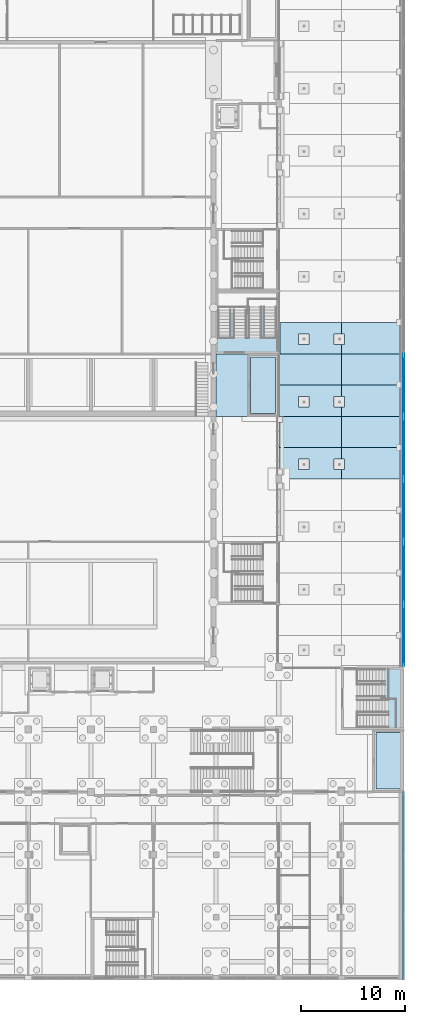
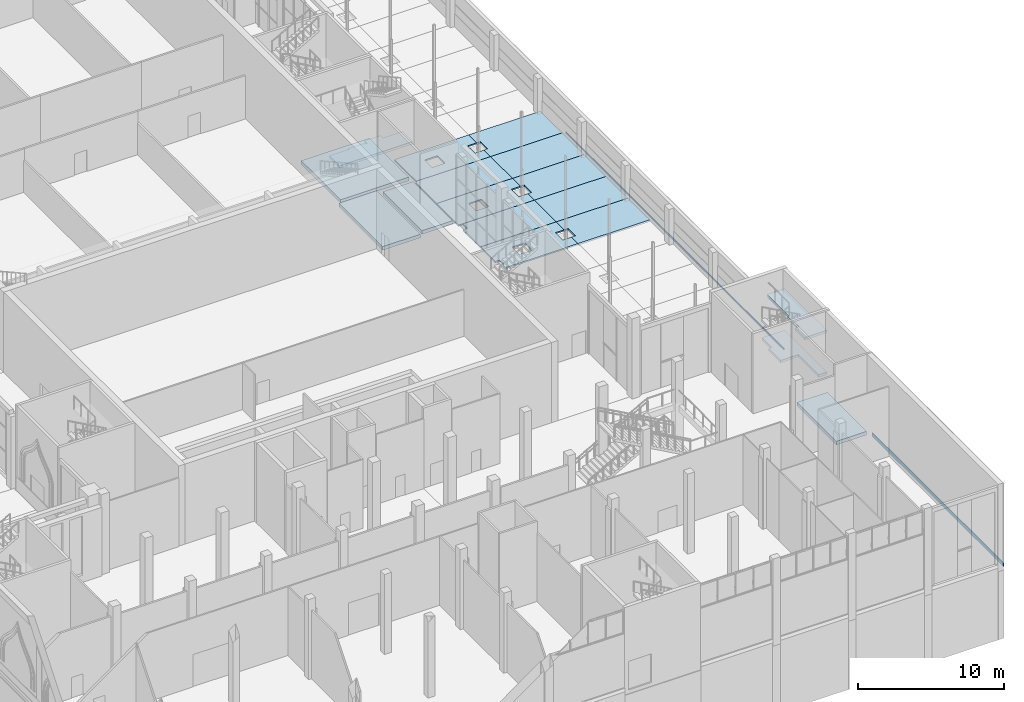
# One storey, part 32 of 95: 28 slabs, 2 elements without a shape of their own.
"""IFC4 building model written with IfcOpenShell, lengths in metres."""

from ifc_helpers import new_model, si_unit, direction, frame, origin, place, context, subcontext, project, spatial, polyline, outline, extrude, material, layer, layer_set, type_object, element, aggregate, save


model = new_model("IFC4")

# Units and contexts
model_context = context("Model", 3, precision=1e-05, world=origin(), true_north=direction((0.0, 1.0)))
body_context = subcontext(model_context, "Body", "Model", "MODEL_VIEW")
ifc_project = project(units=[si_unit("LENGTHUNIT", "METRE"), si_unit("AREAUNIT", "SQUARE_METRE"), si_unit("VOLUMEUNIT", "CUBIC_METRE"), si_unit("PLANEANGLEUNIT", "RADIAN"), si_unit("MASSUNIT", "GRAM", prefix="KILO")], contexts=[model_context])

# Site, building, storey
site_placement = place(None, origin())
site = spatial("IfcSite", under=ifc_project, at=site_placement, CompositionType="ELEMENT")
building_placement = place(site_placement, origin())
building = spatial("IfcBuilding", under=site, at=building_placement, Name="Saffron Lane Theatres", CompositionType="ELEMENT")
storey_placement = place(building_placement, origin())
storey = spatial("IfcBuildingStorey", under=building, at=storey_placement, Name="L00", CompositionType="ELEMENT", Elevation=0.0)

# Slabs
ifc_material_1 = material(Name="Masonry bluestone paving", Category="masonry")
ifc_layer_1 = layer(ifc_material_1, 0.1201171875)
ifc_layer_set_1 = layer_set([ifc_layer_1], Name="Masonry bluestone paving")
slab_type_1 = type_object("IfcSlabType", Name="EX-PAVING BLUESTONE 120", PredefinedType="USERDEFINED", material=ifc_layer_set_1)
slab_1_placement = place(storey_placement, frame((0.0, 0.0, -0.1201171875)))
element("IfcSlab", 1, at=slab_1_placement, inside=storey, type_object=slab_type_1, Name="Saffron Lane passage paving 8", ObjectType="PAVING", PredefinedType="USERDEFINED", context=body_context, shape_type="SweptSolid", body=[
    extrude(outline(polyline([(60.0, 51.0), (60.0, 54.0), (54.35400390625, 54.0), (54.35400390625, 53.39990234375), (54.35400390625, 53.399658203125), (54.35400390625, 53.399169921875), (54.353759765625, 53.39892578125), (54.353759765625, 53.3984375), (54.353515625, 53.398193359375), (54.353271484375, 53.397705078125), (54.35302734375, 53.3974609375), (54.352783203125, 53.397216796875), (54.3525390625, 53.39697265625), (54.352294921875, 53.396728515625), (54.351806640625, 53.396484375), (54.3515625, 53.396240234375), (54.35107421875, 53.396240234375), (54.350830078125, 53.39599609375), (54.350341796875, 53.39599609375), (54.35009765625, 53.39599609375), (54.00390625, 53.39599609375), (54.00390625, 51.0), (60.0, 51.0)])), origin(), (0.0, 0.0, 1.0), 0.1201171875),
])
slab_2_placement = place(storey_placement, frame((0.0, 0.0, -0.1201171875)))
element("IfcSlab", 2, at=slab_2_placement, inside=storey, type_object=slab_type_1, Name="Saffron Lane passage paving 10", ObjectType="PAVING", PredefinedType="USERDEFINED", context=body_context, shape_type="SweptSolid", body=[
    extrude(outline(polyline([(60.0, 57.0), (60.0, 60.0), (54.1201171875, 60.0), (54.119384765625, 59.98828125), (54.11767578125, 59.9765625), (54.11474609375, 59.965087890625), (54.11083984375, 59.9541015625), (54.105712890625, 59.943359375), (54.099853515625, 59.933349609375), (54.0927734375, 59.923828125), (54.0849609375, 59.9150390625), (54.076171875, 59.9072265625), (54.066650390625, 59.900146484375), (54.056640625, 59.894287109375), (54.0458984375, 59.88916015625), (54.034912109375, 59.88525390625), (54.0234375, 59.88232421875), (54.01171875, 59.880615234375), (54.00390625, 59.880126953125), (54.00390625, 59.85009765625), (54.00390625, 59.85009765625), (54.00390625, 57.0), (60.0, 57.0)])), origin(), (0.0, 0.0, 1.0), 0.1201171875),
])
ifc_material_2 = material(Name="Masonry bluestone paving", Category="masonry")
ifc_layer_2 = layer(ifc_material_2, 0.14990234375)
ifc_layer_set_2 = layer_set([ifc_layer_2], Name="Masonry bluestone paving")
slab_type_2 = type_object("IfcSlabType", Name="EX-PAVING BLUESTONE 150", PredefinedType="USERDEFINED", material=ifc_layer_set_2)
slab_3_placement = place(storey_placement, frame((0.0, 0.0, -0.14990234375)))
element("IfcSlab", 3, at=slab_3_placement, inside=storey, type_object=slab_type_2, Name="East court paving 4", ObjectType="PAVING", PredefinedType="USERDEFINED", context=body_context, shape_type="SweptSolid", body=[
    extrude(outline(polyline([(66.0, 33.0), (66.0, 36.0), (65.944091796875, 36.0), (65.944091796875, 33.0), (66.0, 33.0)])), origin(), (0.0, 0.0, 1.0), 0.14990234375),
])
slab_4_placement = place(storey_placement, frame((0.0, 0.0, -0.14990234375)))
element("IfcSlab", 4, at=slab_4_placement, inside=storey, type_object=slab_type_2, Name="East court paving 8", ObjectType="PAVING", PredefinedType="USERDEFINED", context=body_context, shape_type="SweptSolid", body=[
    extrude(outline(polyline([(66.0, 39.0), (66.0, 42.0), (65.944091796875, 42.0), (65.944091796875, 39.0), (66.0, 39.0)])), origin(), (0.0, 0.0, 1.0), 0.14990234375),
])
slab_5_placement = place(storey_placement, frame((0.0, 0.0, -0.14990234375)))
element("IfcSlab", 5, at=slab_5_placement, inside=storey, type_object=slab_type_2, Name="East court paving 12", ObjectType="PAVING", PredefinedType="USERDEFINED", context=body_context, shape_type="SweptSolid", body=[
    extrude(outline(polyline([(66.0, 45.0), (66.0, 48.0), (65.944091796875, 48.0), (65.944091796875, 45.0), (66.0, 45.0)])), origin(), (0.0, 0.0, 1.0), 0.14990234375),
])
slab_6_placement = place(storey_placement, frame((0.0, 0.0, -0.14990234375)))
element("IfcSlab", 6, at=slab_6_placement, inside=storey, type_object=slab_type_2, Name="East court paving 15", ObjectType="PAVING", PredefinedType="USERDEFINED", context=body_context, shape_type="SweptSolid", body=[
    extrude(outline(polyline([(60.0, 54.0), (60.0, 51.0), (65.68603515625, 51.0), (65.68603515625, 54.0), (60.0, 54.0)])), origin(), (0.0, 0.0, 1.0), 0.14990234375),
])
slab_7_placement = place(storey_placement, frame((0.0, 0.0, -0.14990234375)))
element("IfcSlab", 7, at=slab_7_placement, inside=storey, type_object=slab_type_2, Name="East court paving 16", ObjectType="PAVING", PredefinedType="USERDEFINED", context=body_context, shape_type="SweptSolid", body=[
    extrude(outline(polyline([(66.0, 51.0), (66.0, 54.0), (65.944091796875, 54.0), (65.944091796875, 51.0), (66.0, 51.0)])), origin(), (0.0, 0.0, 1.0), 0.14990234375),
])
slab_8_placement = place(storey_placement, frame((0.0, 0.0, -0.14990234375)))
element("IfcSlab", 8, at=slab_8_placement, inside=storey, type_object=slab_type_2, Name="East court paving 19", ObjectType="PAVING", PredefinedType="USERDEFINED", context=body_context, shape_type="SweptSolid", body=[
    extrude(outline(polyline([(60.0, 60.0), (60.0, 57.0), (65.68603515625, 57.0), (65.68603515625, 60.0), (60.0, 60.0)])), origin(), (0.0, 0.0, 1.0), 0.14990234375),
])
slab_9_placement = place(storey_placement, frame((0.0, 0.0, -0.14990234375)))
element("IfcSlab", 9, at=slab_9_placement, inside=storey, type_object=slab_type_2, Name="East court paving 20", ObjectType="PAVING", PredefinedType="USERDEFINED", context=body_context, shape_type="SweptSolid", body=[
    extrude(outline(polyline([(66.0, 57.0), (66.0, 60.0), (65.944091796875, 60.0), (65.944091796875, 57.0), (66.0, 57.0)])), origin(), (0.0, 0.0, 1.0), 0.14990234375),
])
ifc_material_3 = material(Name="Masonry sandstone paving", Category="masonry")
ifc_layer_3 = layer(ifc_material_3, 0.1201171875)
ifc_layer_set_3 = layer_set([ifc_layer_3], Name="Masonry sandstone paving")
slab_type_3 = type_object("IfcSlabType", Name="EX-PAVING SANDSTONE 120", PredefinedType="USERDEFINED", material=ifc_layer_set_3)
slab_10_placement = place(storey_placement, frame((0.0, 0.0, -0.1201171875)))
element("IfcSlab", 10, at=slab_10_placement, inside=storey, type_object=slab_type_3, Name="Saffron Lane passage paving 7", ObjectType="PAVING", PredefinedType="USERDEFINED", context=body_context, shape_type="SweptSolid", body=[
    extrude(outline(polyline([(60.0, 49.904052734375), (60.0, 51.0), (54.00390625, 51.0), (54.00390625, 48.97900390625), (54.35009765625, 48.97900390625), (54.350341796875, 48.97900390625), (54.350830078125, 48.97900390625), (54.35107421875, 48.978759765625), (54.3515625, 48.978759765625), (54.351806640625, 48.978515625), (54.352294921875, 48.978271484375), (54.3525390625, 48.97802734375), (54.352783203125, 48.977783203125), (54.35302734375, 48.9775390625), (54.353271484375, 48.977294921875), (54.353515625, 48.976806640625), (54.353759765625, 48.9765625), (54.353759765625, 48.97607421875), (54.35400390625, 48.975830078125), (54.35400390625, 48.975341796875), (54.35400390625, 48.97509765625), (54.35400390625, 48.375), (54.35400390625, 48.37451171875), (54.35400390625, 48.374267578125), (54.353759765625, 48.373779296875), (54.353759765625, 48.37353515625), (54.353515625, 48.373046875), (54.353271484375, 48.372802734375), (54.35302734375, 48.37255859375), (54.352783203125, 48.3720703125), (54.3525390625, 48.371826171875), (54.352294921875, 48.37158203125), (54.351806640625, 48.37158203125), (54.3515625, 48.371337890625), (54.35107421875, 48.37109375), (54.350830078125, 48.37109375), (54.350341796875, 48.37109375), (54.35009765625, 48.37109375), (54.279052734375, 48.37109375), (54.279052734375, 48.0), (60.0, 48.0), (60.0, 48.89599609375), (59.300048828125, 48.89599609375), (59.299560546875, 48.89599609375), (59.29931640625, 48.89599609375), (59.298828125, 48.896240234375), (59.298583984375, 48.896240234375), (59.298095703125, 48.896484375), (59.2978515625, 48.896728515625), (59.29736328125, 48.89697265625), (59.297119140625, 48.897216796875), (59.296875, 48.8974609375), (59.296630859375, 48.897705078125), (59.29638671875, 48.898193359375), (59.29638671875, 48.8984375), (59.296142578125, 48.89892578125), (59.296142578125, 48.899169921875), (59.2958984375, 48.899658203125), (59.2958984375, 48.89990234375), (59.2958984375, 49.89990234375), (59.2958984375, 49.900390625), (59.296142578125, 49.90087890625), (59.296142578125, 49.901123046875), (59.29638671875, 49.901611328125), (59.29638671875, 49.90185546875), (59.296630859375, 49.90234375), (59.296875, 49.902587890625), (59.297119140625, 49.90283203125), (59.29736328125, 49.903076171875), (59.2978515625, 49.9033203125), (59.298095703125, 49.903564453125), (59.298583984375, 49.90380859375), (59.298828125, 49.90380859375), (59.29931640625, 49.90380859375), (59.299560546875, 49.904052734375), (59.300048828125, 49.904052734375), (60.0, 49.904052734375)]), holes=[polyline([(55.89599609375, 49.90087890625), (55.896240234375, 49.901123046875), (55.896240234375, 49.901611328125), (55.896484375, 49.90185546875), (55.896728515625, 49.90234375), (55.89697265625, 49.902587890625), (55.897216796875, 49.90283203125), (55.8974609375, 49.903076171875), (55.897705078125, 49.9033203125), (55.898193359375, 49.903564453125), (55.8984375, 49.90380859375), (55.89892578125, 49.90380859375), (55.899169921875, 49.90380859375), (55.899658203125, 49.904052734375), (55.89990234375, 49.904052734375), (56.89990234375, 49.904052734375), (56.900390625, 49.904052734375), (56.90087890625, 49.90380859375), (56.901123046875, 49.90380859375), (56.901611328125, 49.90380859375), (56.90185546875, 49.903564453125), (56.90234375, 49.9033203125), (56.902587890625, 49.903076171875), (56.90283203125, 49.90283203125), (56.903076171875, 49.902587890625), (56.9033203125, 49.90234375), (56.903564453125, 49.90185546875), (56.90380859375, 49.901611328125), (56.90380859375, 49.901123046875), (56.90380859375, 49.90087890625), (56.904052734375, 49.900390625), (56.904052734375, 49.89990234375), (56.904052734375, 48.89990234375), (56.904052734375, 48.899658203125), (56.90380859375, 48.899169921875), (56.90380859375, 48.89892578125), (56.90380859375, 48.8984375), (56.903564453125, 48.898193359375), (56.9033203125, 48.897705078125), (56.903076171875, 48.8974609375), (56.90283203125, 48.897216796875), (56.902587890625, 48.89697265625), (56.90234375, 48.896728515625), (56.90185546875, 48.896484375), (56.901611328125, 48.896240234375), (56.901123046875, 48.896240234375), (56.90087890625, 48.89599609375), (56.900390625, 48.89599609375), (56.89990234375, 48.89599609375), (55.89990234375, 48.89599609375), (55.899658203125, 48.89599609375), (55.899169921875, 48.89599609375), (55.89892578125, 48.896240234375), (55.8984375, 48.896240234375), (55.898193359375, 48.896484375), (55.897705078125, 48.896728515625), (55.8974609375, 48.89697265625), (55.897216796875, 48.897216796875), (55.89697265625, 48.8974609375), (55.896728515625, 48.897705078125), (55.896484375, 48.898193359375), (55.896240234375, 48.8984375), (55.896240234375, 48.89892578125), (55.89599609375, 48.899169921875), (55.89599609375, 48.899658203125), (55.89599609375, 48.89990234375), (55.89599609375, 49.89990234375), (55.89599609375, 49.900390625), (55.89599609375, 49.90087890625)])]), origin(), (0.0, 0.0, 1.0), 0.1201171875),
])
slab_11_placement = place(storey_placement, frame((0.0, 0.0, -0.1201171875)))
element("IfcSlab", 11, at=slab_11_placement, inside=storey, type_object=slab_type_3, Name="Saffron Lane passage paving 9", ObjectType="PAVING", PredefinedType="USERDEFINED", context=body_context, shape_type="SweptSolid", body=[
    extrude(outline(polyline([(60.0, 55.904052734375), (60.0, 57.0), (54.00390625, 57.0), (54.00390625, 54.14990234375), (54.00390625, 54.14990234375), (54.00390625, 54.00390625), (54.35009765625, 54.00390625), (54.350341796875, 54.00390625), (54.350830078125, 54.00390625), (54.35107421875, 54.00390625), (54.3515625, 54.003662109375), (54.351806640625, 54.00341796875), (54.352294921875, 54.00341796875), (54.3525390625, 54.003173828125), (54.352783203125, 54.0029296875), (54.35302734375, 54.00244140625), (54.353271484375, 54.002197265625), (54.353515625, 54.001953125), (54.353759765625, 54.00146484375), (54.353759765625, 54.001220703125), (54.35400390625, 54.000732421875), (54.35400390625, 54.00048828125), (54.35400390625, 54.0), (60.0, 54.0), (60.0, 54.89599609375), (59.300048828125, 54.89599609375), (59.299560546875, 54.89599609375), (59.29931640625, 54.89599609375), (59.298828125, 54.896240234375), (59.298583984375, 54.896240234375), (59.298095703125, 54.896484375), (59.2978515625, 54.896728515625), (59.29736328125, 54.89697265625), (59.297119140625, 54.897216796875), (59.296875, 54.8974609375), (59.296630859375, 54.897705078125), (59.29638671875, 54.898193359375), (59.29638671875, 54.8984375), (59.296142578125, 54.89892578125), (59.296142578125, 54.899169921875), (59.2958984375, 54.899658203125), (59.2958984375, 54.89990234375), (59.2958984375, 55.89990234375), (59.2958984375, 55.900390625), (59.296142578125, 55.90087890625), (59.296142578125, 55.901123046875), (59.29638671875, 55.901611328125), (59.29638671875, 55.90185546875), (59.296630859375, 55.90234375), (59.296875, 55.902587890625), (59.297119140625, 55.90283203125), (59.29736328125, 55.903076171875), (59.2978515625, 55.9033203125), (59.298095703125, 55.903564453125), (59.298583984375, 55.90380859375), (59.298828125, 55.90380859375), (59.29931640625, 55.90380859375), (59.299560546875, 55.904052734375), (59.300048828125, 55.904052734375), (60.0, 55.904052734375)]), holes=[polyline([(55.89599609375, 55.90087890625), (55.896240234375, 55.901123046875), (55.896240234375, 55.901611328125), (55.896484375, 55.90185546875), (55.896728515625, 55.90234375), (55.89697265625, 55.902587890625), (55.897216796875, 55.90283203125), (55.8974609375, 55.903076171875), (55.897705078125, 55.9033203125), (55.898193359375, 55.903564453125), (55.8984375, 55.90380859375), (55.89892578125, 55.90380859375), (55.899169921875, 55.90380859375), (55.899658203125, 55.904052734375), (55.89990234375, 55.904052734375), (56.89990234375, 55.904052734375), (56.900390625, 55.904052734375), (56.90087890625, 55.90380859375), (56.901123046875, 55.90380859375), (56.901611328125, 55.90380859375), (56.90185546875, 55.903564453125), (56.90234375, 55.9033203125), (56.902587890625, 55.903076171875), (56.90283203125, 55.90283203125), (56.903076171875, 55.902587890625), (56.9033203125, 55.90234375), (56.903564453125, 55.90185546875), (56.90380859375, 55.901611328125), (56.90380859375, 55.901123046875), (56.90380859375, 55.90087890625), (56.904052734375, 55.900390625), (56.904052734375, 55.89990234375), (56.904052734375, 54.89990234375), (56.904052734375, 54.899658203125), (56.90380859375, 54.899169921875), (56.90380859375, 54.89892578125), (56.90380859375, 54.8984375), (56.903564453125, 54.898193359375), (56.9033203125, 54.897705078125), (56.903076171875, 54.8974609375), (56.90283203125, 54.897216796875), (56.902587890625, 54.89697265625), (56.90234375, 54.896728515625), (56.90185546875, 54.896484375), (56.901611328125, 54.896240234375), (56.901123046875, 54.896240234375), (56.90087890625, 54.89599609375), (56.900390625, 54.89599609375), (56.89990234375, 54.89599609375), (55.89990234375, 54.89599609375), (55.899658203125, 54.89599609375), (55.899169921875, 54.89599609375), (55.89892578125, 54.896240234375), (55.8984375, 54.896240234375), (55.898193359375, 54.896484375), (55.897705078125, 54.896728515625), (55.8974609375, 54.89697265625), (55.897216796875, 54.897216796875), (55.89697265625, 54.8974609375), (55.896728515625, 54.897705078125), (55.896484375, 54.898193359375), (55.896240234375, 54.8984375), (55.896240234375, 54.89892578125), (55.89599609375, 54.899169921875), (55.89599609375, 54.899658203125), (55.89599609375, 54.89990234375), (55.89599609375, 55.89990234375), (55.89599609375, 55.900390625), (55.89599609375, 55.90087890625)])]), origin(), (0.0, 0.0, 1.0), 0.1201171875),
])
slab_12_placement = place(storey_placement, frame((0.0, 0.0, -0.1201171875)))
element("IfcSlab", 12, at=slab_12_placement, inside=storey, type_object=slab_type_3, Name="Saffron Lane passage paving 11", ObjectType="PAVING", PredefinedType="USERDEFINED", context=body_context, shape_type="SweptSolid", body=[
    extrude(outline(polyline([(60.0, 61.904052734375), (60.0, 63.0), (54.1201171875, 63.0), (54.1201171875, 60.0), (60.0, 60.0), (60.0, 60.89599609375), (59.300048828125, 60.89599609375), (59.299560546875, 60.89599609375), (59.29931640625, 60.89599609375), (59.298828125, 60.896240234375), (59.298583984375, 60.896240234375), (59.298095703125, 60.896484375), (59.2978515625, 60.896728515625), (59.29736328125, 60.89697265625), (59.297119140625, 60.897216796875), (59.296875, 60.8974609375), (59.296630859375, 60.897705078125), (59.29638671875, 60.898193359375), (59.29638671875, 60.8984375), (59.296142578125, 60.89892578125), (59.296142578125, 60.899169921875), (59.2958984375, 60.899658203125), (59.2958984375, 60.89990234375), (59.2958984375, 61.89990234375), (59.2958984375, 61.900390625), (59.296142578125, 61.90087890625), (59.296142578125, 61.901123046875), (59.29638671875, 61.901611328125), (59.29638671875, 61.90185546875), (59.296630859375, 61.90234375), (59.296875, 61.902587890625), (59.297119140625, 61.90283203125), (59.29736328125, 61.903076171875), (59.2978515625, 61.9033203125), (59.298095703125, 61.903564453125), (59.298583984375, 61.90380859375), (59.298828125, 61.90380859375), (59.29931640625, 61.90380859375), (59.299560546875, 61.904052734375), (59.300048828125, 61.904052734375), (60.0, 61.904052734375)]), holes=[polyline([(55.89599609375, 61.900390625), (55.89599609375, 61.90087890625), (55.896240234375, 61.901123046875), (55.896240234375, 61.901611328125), (55.896484375, 61.90185546875), (55.896728515625, 61.90234375), (55.89697265625, 61.902587890625), (55.897216796875, 61.90283203125), (55.8974609375, 61.903076171875), (55.897705078125, 61.9033203125), (55.898193359375, 61.903564453125), (55.8984375, 61.90380859375), (55.89892578125, 61.90380859375), (55.899169921875, 61.90380859375), (55.899658203125, 61.904052734375), (55.89990234375, 61.904052734375), (56.89990234375, 61.904052734375), (56.900390625, 61.904052734375), (56.90087890625, 61.90380859375), (56.901123046875, 61.90380859375), (56.901611328125, 61.90380859375), (56.90185546875, 61.903564453125), (56.90234375, 61.9033203125), (56.902587890625, 61.903076171875), (56.90283203125, 61.90283203125), (56.903076171875, 61.902587890625), (56.9033203125, 61.90234375), (56.903564453125, 61.90185546875), (56.90380859375, 61.901611328125), (56.90380859375, 61.901123046875), (56.90380859375, 61.90087890625), (56.904052734375, 61.900390625), (56.904052734375, 61.89990234375), (56.904052734375, 60.89990234375), (56.904052734375, 60.899658203125), (56.90380859375, 60.899169921875), (56.90380859375, 60.89892578125), (56.90380859375, 60.8984375), (56.903564453125, 60.898193359375), (56.9033203125, 60.897705078125), (56.903076171875, 60.8974609375), (56.90283203125, 60.897216796875), (56.902587890625, 60.89697265625), (56.90234375, 60.896728515625), (56.90185546875, 60.896484375), (56.901611328125, 60.896240234375), (56.901123046875, 60.896240234375), (56.90087890625, 60.89599609375), (56.900390625, 60.89599609375), (56.89990234375, 60.89599609375), (55.89990234375, 60.89599609375), (55.899658203125, 60.89599609375), (55.899169921875, 60.89599609375), (55.89892578125, 60.896240234375), (55.8984375, 60.896240234375), (55.898193359375, 60.896484375), (55.897705078125, 60.896728515625), (55.8974609375, 60.89697265625), (55.897216796875, 60.897216796875), (55.89697265625, 60.8974609375), (55.896728515625, 60.897705078125), (55.896484375, 60.898193359375), (55.896240234375, 60.8984375), (55.896240234375, 60.89892578125), (55.89599609375, 60.899169921875), (55.89599609375, 60.899658203125), (55.89599609375, 60.89990234375), (55.89599609375, 61.89990234375), (55.89599609375, 61.900390625)])]), origin(), (0.0, 0.0, 1.0), 0.1201171875),
])
ifc_material_4 = material(Name="Masonry sandstone paving", Category="masonry")
ifc_layer_4 = layer(ifc_material_4, 0.14990234375)
ifc_layer_set_4 = layer_set([ifc_layer_4], Name="Masonry sandstone paving")
slab_type_4 = type_object("IfcSlabType", Name="EX-PAVING SANDSTONE 150", PredefinedType="USERDEFINED", material=ifc_layer_set_4)
slab_13_placement = place(storey_placement, frame((0.0, 0.0, -0.14990234375)))
element("IfcSlab", 13, at=slab_13_placement, inside=storey, type_object=slab_type_4, Name="East court paving 2", ObjectType="PAVING", PredefinedType="USERDEFINED", context=body_context, shape_type="SweptSolid", body=[
    extrude(outline(polyline([(66.0, 30.1201171875), (66.0, 33.0), (65.944091796875, 33.0), (65.944091796875, 30.1201171875), (66.0, 30.1201171875)])), origin(), (0.0, 0.0, 1.0), 0.14990234375),
])
slab_14_placement = place(storey_placement, frame((0.0, 0.0, -0.14990234375)))
element("IfcSlab", 14, at=slab_14_placement, inside=storey, type_object=slab_type_4, Name="East court paving 6", ObjectType="PAVING", PredefinedType="USERDEFINED", context=body_context, shape_type="SweptSolid", body=[
    extrude(outline(polyline([(66.0, 36.0), (66.0, 39.0), (65.944091796875, 39.0), (65.944091796875, 36.0), (66.0, 36.0)])), origin(), (0.0, 0.0, 1.0), 0.14990234375),
])
slab_15_placement = place(storey_placement, frame((0.0, 0.0, -0.14990234375)))
element("IfcSlab", 15, at=slab_15_placement, inside=storey, type_object=slab_type_4, Name="East court paving 10", ObjectType="PAVING", PredefinedType="USERDEFINED", context=body_context, shape_type="SweptSolid", body=[
    extrude(outline(polyline([(66.0, 42.0), (66.0, 45.0), (65.944091796875, 45.0), (65.944091796875, 42.0), (66.0, 42.0)])), origin(), (0.0, 0.0, 1.0), 0.14990234375),
])
slab_16_placement = place(storey_placement, frame((0.0, 0.0, -0.14990234375)))
element("IfcSlab", 16, at=slab_16_placement, inside=storey, type_object=slab_type_4, Name="East court paving 13", ObjectType="PAVING", PredefinedType="USERDEFINED", context=body_context, shape_type="SweptSolid", body=[
    extrude(outline(polyline([(60.0, 48.89599609375), (60.0, 48.0), (65.68603515625, 48.0), (65.68603515625, 51.0), (60.0, 51.0), (60.0, 49.904052734375), (60.300048828125, 49.904052734375), (60.30029296875, 49.904052734375), (60.30078125, 49.90380859375), (60.30126953125, 49.90380859375), (60.301513671875, 49.90380859375), (60.302001953125, 49.903564453125), (60.30224609375, 49.9033203125), (60.302490234375, 49.903076171875), (60.302734375, 49.90283203125), (60.302978515625, 49.902587890625), (60.30322265625, 49.90234375), (60.303466796875, 49.90185546875), (60.3037109375, 49.901611328125), (60.3037109375, 49.901123046875), (60.303955078125, 49.90087890625), (60.303955078125, 49.900390625), (60.303955078125, 49.89990234375), (60.303955078125, 48.89990234375), (60.303955078125, 48.899658203125), (60.303955078125, 48.899169921875), (60.3037109375, 48.89892578125), (60.3037109375, 48.8984375), (60.303466796875, 48.898193359375), (60.30322265625, 48.897705078125), (60.302978515625, 48.8974609375), (60.302734375, 48.897216796875), (60.302490234375, 48.89697265625), (60.30224609375, 48.896728515625), (60.302001953125, 48.896484375), (60.301513671875, 48.896240234375), (60.30126953125, 48.896240234375), (60.30078125, 48.89599609375), (60.30029296875, 48.89599609375), (60.300048828125, 48.89599609375), (60.0, 48.89599609375)])), origin(), (0.0, 0.0, 1.0), 0.14990234375),
])
slab_17_placement = place(storey_placement, frame((0.0, 0.0, -0.14990234375)))
element("IfcSlab", 17, at=slab_17_placement, inside=storey, type_object=slab_type_4, Name="East court paving 14", ObjectType="PAVING", PredefinedType="USERDEFINED", context=body_context, shape_type="SweptSolid", body=[
    extrude(outline(polyline([(66.0, 48.0), (66.0, 51.0), (65.944091796875, 51.0), (65.944091796875, 48.0), (66.0, 48.0)])), origin(), (0.0, 0.0, 1.0), 0.14990234375),
])
slab_18_placement = place(storey_placement, frame((0.0, 0.0, -0.14990234375)))
element("IfcSlab", 18, at=slab_18_placement, inside=storey, type_object=slab_type_4, Name="East court paving 17", ObjectType="PAVING", PredefinedType="USERDEFINED", context=body_context, shape_type="SweptSolid", body=[
    extrude(outline(polyline([(60.0, 54.89599609375), (60.0, 54.0), (65.68603515625, 54.0), (65.68603515625, 57.0), (60.0, 57.0), (60.0, 55.904052734375), (60.300048828125, 55.904052734375), (60.30029296875, 55.904052734375), (60.30078125, 55.90380859375), (60.30126953125, 55.90380859375), (60.301513671875, 55.90380859375), (60.302001953125, 55.903564453125), (60.30224609375, 55.9033203125), (60.302490234375, 55.903076171875), (60.302734375, 55.90283203125), (60.302978515625, 55.902587890625), (60.30322265625, 55.90234375), (60.303466796875, 55.90185546875), (60.3037109375, 55.901611328125), (60.3037109375, 55.901123046875), (60.303955078125, 55.90087890625), (60.303955078125, 55.900390625), (60.303955078125, 55.89990234375), (60.303955078125, 54.89990234375), (60.303955078125, 54.899658203125), (60.303955078125, 54.899169921875), (60.3037109375, 54.89892578125), (60.3037109375, 54.8984375), (60.303466796875, 54.898193359375), (60.30322265625, 54.897705078125), (60.302978515625, 54.8974609375), (60.302734375, 54.897216796875), (60.302490234375, 54.89697265625), (60.30224609375, 54.896728515625), (60.302001953125, 54.896484375), (60.301513671875, 54.896240234375), (60.30126953125, 54.896240234375), (60.30078125, 54.89599609375), (60.30029296875, 54.89599609375), (60.300048828125, 54.89599609375), (60.0, 54.89599609375)])), origin(), (0.0, 0.0, 1.0), 0.14990234375),
])
slab_19_placement = place(storey_placement, frame((0.0, 0.0, -0.14990234375)))
element("IfcSlab", 19, at=slab_19_placement, inside=storey, type_object=slab_type_4, Name="East court paving 18", ObjectType="PAVING", PredefinedType="USERDEFINED", context=body_context, shape_type="SweptSolid", body=[
    extrude(outline(polyline([(66.0, 54.0), (66.0, 57.0), (65.944091796875, 57.0), (65.944091796875, 54.0), (66.0, 54.0)])), origin(), (0.0, 0.0, 1.0), 0.14990234375),
])
slab_20_placement = place(storey_placement, frame((0.0, 0.0, -0.14990234375)))
element("IfcSlab", 20, at=slab_20_placement, inside=storey, type_object=slab_type_4, Name="East court paving 21", ObjectType="PAVING", PredefinedType="USERDEFINED", context=body_context, shape_type="SweptSolid", body=[
    extrude(outline(polyline([(60.0, 60.89599609375), (60.0, 60.0), (65.68603515625, 60.0), (65.68603515625, 63.0), (60.0, 63.0), (60.0, 61.904052734375), (60.300048828125, 61.904052734375), (60.30029296875, 61.904052734375), (60.30078125, 61.90380859375), (60.30126953125, 61.90380859375), (60.301513671875, 61.90380859375), (60.302001953125, 61.903564453125), (60.30224609375, 61.9033203125), (60.302490234375, 61.903076171875), (60.302734375, 61.90283203125), (60.302978515625, 61.902587890625), (60.30322265625, 61.90234375), (60.303466796875, 61.90185546875), (60.3037109375, 61.901611328125), (60.3037109375, 61.901123046875), (60.303955078125, 61.90087890625), (60.303955078125, 61.900390625), (60.303955078125, 61.89990234375), (60.303955078125, 60.89990234375), (60.303955078125, 60.899658203125), (60.303955078125, 60.899169921875), (60.3037109375, 60.89892578125), (60.3037109375, 60.8984375), (60.303466796875, 60.898193359375), (60.30322265625, 60.897705078125), (60.302978515625, 60.8974609375), (60.302734375, 60.897216796875), (60.302490234375, 60.89697265625), (60.30224609375, 60.896728515625), (60.302001953125, 60.896484375), (60.301513671875, 60.896240234375), (60.30126953125, 60.896240234375), (60.30078125, 60.89599609375), (60.30029296875, 60.89599609375), (60.300048828125, 60.89599609375), (60.0, 60.89599609375)])), origin(), (0.0, 0.0, 1.0), 0.14990234375),
])
ifc_material_5 = material(Name="Concrete N40 (40 MPa)", Category="concrete")
ifc_layer_5 = layer(ifc_material_5, 0.300048828125)
ifc_layer_set_5 = layer_set([ifc_layer_5], Name="Concrete N40 (40 MPa)")
slab_type_5 = type_object("IfcSlabType", Name="RC-SLAB BASE 300", PredefinedType="BASESLAB", material=ifc_layer_set_5)
slab_21_placement = place(storey_placement, origin())
element("IfcSlab", 21, at=slab_21_placement, inside=storey, type_object=slab_type_5, Name="slab-L00-AUD-2", PredefinedType="BASESLAB", context=body_context, shape_type="SweptSolid", body=[
    extrude(outline(polyline([(48.0, 54.5), (48.0, 54.0), (51.0, 54.0), (51.0, 60.0), (48.0, 60.0), (48.0, 54.5)])), origin(), (0.0, 0.0, 1.0), 0.300048828125),
])
slab_22_placement = place(storey_placement, origin())
element("IfcSlab", 22, at=slab_22_placement, inside=storey, type_object=slab_type_5, Name="slab-L00-STUDIO-2", PredefinedType="BASESLAB", context=body_context, shape_type="SweptSolid", body=[
    extrude(outline(polyline([(65.93994140625, 18.0), (65.93994140625, 0.00048828125), (65.99951171875, 0.00048828125), (65.99951171875, 18.0), (65.93994140625, 18.0)])), origin(), (0.0, 0.0, 1.0), 0.300048828125),
])
slab_23_placement = place(storey_placement, origin())
element("IfcSlab", 23, at=slab_23_placement, inside=storey, type_object=slab_type_5, Name="slab-L00-core-ST11", PredefinedType="BASESLAB", context=body_context, shape_type="SweptSolid", body=[
    extrude(outline(polyline([(48.300048828125, 60.300048828125), (53.699951171875, 60.300048828125), (53.699951171875, 65.699951171875), (48.300048828125, 65.699951171875), (48.300048828125, 60.300048828125)])), origin(), (0.0, 0.0, 1.0), 0.300048828125),
])
slab_24_placement = place(storey_placement, origin())
element("IfcSlab", 24, at=slab_24_placement, inside=storey, type_object=slab_type_5, Name="slab-L00-core-R4", PredefinedType="BASESLAB", context=body_context, shape_type="SweptSolid", body=[
    extrude(outline(polyline([(51.300048828125, 54.300048828125), (53.699951171875, 54.300048828125), (53.699951171875, 59.699951171875), (51.300048828125, 59.699951171875), (51.300048828125, 54.300048828125)])), origin(), (0.0, 0.0, 1.0), 0.300048828125),
])
slab_25_placement = place(storey_placement, origin())
element("IfcSlab", 25, at=slab_25_placement, inside=storey, type_object=slab_type_5, Name="slab-L00-core-R6", PredefinedType="BASESLAB", context=body_context, shape_type="SweptSolid", body=[
    extrude(outline(polyline([(63.300048828125, 18.300048828125), (65.699951171875, 18.300048828125), (65.699951171875, 23.699951171875), (63.300048828125, 23.699951171875), (63.300048828125, 18.300048828125)])), origin(), (0.0, 0.0, 1.0), 0.300048828125),
])

# Stair, slab
ifc_material_6 = material(Name="Concrete N40 (40 MPa)", Category="concrete")
stair_type = type_object("IfcStairType", Name="VC-STAIR EXIT", PredefinedType="TWO_STRAIGHT_RUN_STAIR", material=ifc_material_6)
stair_1_placement = place(storey_placement, origin())
stair_1 = element("IfcStair", 26, at=stair_1_placement, inside=storey, type_object=stair_type, Name="Auditorium East Front Stair L00 to L01", PredefinedType="TWO_STRAIGHT_RUN_STAIR")
ifc_material_7 = material(Name="Concrete N40 (40 MPa)", Category="concrete")
ifc_layer_6 = layer(ifc_material_7, 0.199951171875)
ifc_layer_set_6 = layer_set([ifc_layer_6], Name="Concrete N40 (40 MPa)")
slab_type_6 = type_object("IfcSlabType", Name="VC-LANDING 200", PredefinedType="LANDING", material=ifc_layer_set_6)
slab_26_placement = place(storey_placement, frame((0.0, 0.0, 3.13330078125)))
slab_26 = element("IfcSlab", 27, at=slab_26_placement, type_object=slab_type_6, Name="ST16 landing 2", PredefinedType="LANDING", context=body_context, shape_type="SweptSolid", body=[
    extrude(outline(polyline([(53.89990234375, 61.5), (53.89990234375, 60.10009765625), (48.10009765625, 60.10009765625), (48.10009765625, 61.5), (49.64990234375, 61.5), (49.64990234375, 61.60009765625), (50.89990234375, 61.60009765625), (50.89990234375, 61.5), (51.10009765625, 61.5), (51.10009765625, 61.85009765625), (52.35009765625, 61.85009765625), (52.35009765625, 61.5), (53.89990234375, 61.5)])), origin(), (0.0, 0.0, 1.0), 0.199951171875),
])
aggregate(stair_1, [slab_26])

# Stair, slabs
stair_2_placement = place(storey_placement, origin())
stair_2 = element("IfcStair", 28, at=stair_2_placement, inside=storey, type_object=stair_type, Name="Studio North Stair L00 to L01", PredefinedType="TWO_STRAIGHT_RUN_STAIR")
slab_27_placement = place(storey_placement, frame((0.0, 0.0, 1.466552734375)))
slab_27 = element("IfcSlab", 29, at=slab_27_placement, type_object=slab_type_6, Name="ST31 landing 1", PredefinedType="LANDING", context=body_context, shape_type="SweptSolid", body=[
    extrude(outline(polyline([(63.85009765625, 26.89990234375), (63.85009765625, 28.550048828125), (64.10009765625, 28.550048828125), (64.10009765625, 29.89990234375), (65.89990234375, 29.89990234375), (65.89990234375, 24.10009765625), (65.25, 24.10009765625), (65.25, 26.89990234375), (63.85009765625, 26.89990234375)])), origin(), (0.0, 0.0, 1.0), 0.2001953125),
])
slab_28_placement = place(storey_placement, frame((0.0, 0.0, 4.966552734375)))
slab_28 = element("IfcSlab", 30, at=slab_28_placement, type_object=slab_type_6, Name="ST31 landing 3", PredefinedType="LANDING", context=body_context, shape_type="SweptSolid", body=[
    extrude(outline(polyline([(64.5, 25.449951171875), (64.5, 25.64990234375), (64.39990234375, 25.64990234375), (64.39990234375, 26.89990234375), (64.5, 26.89990234375), (64.5, 29.89990234375), (65.89990234375, 29.89990234375), (65.89990234375, 24.10009765625), (64.14990234375, 24.10009765625), (64.14990234375, 25.449951171875), (64.5, 25.449951171875)])), origin(), (0.0, 0.0, 1.0), 0.2001953125),
])
aggregate(stair_2, [slab_27, slab_28])

save(model, "model.ifc")
